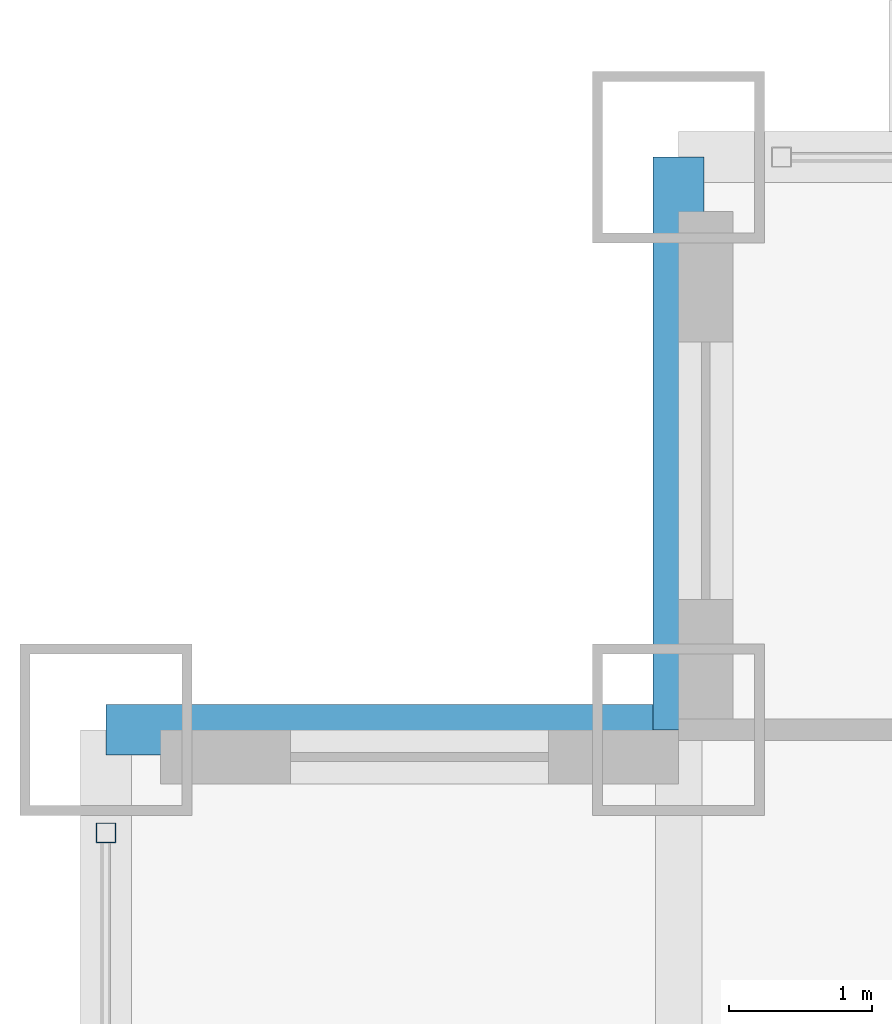
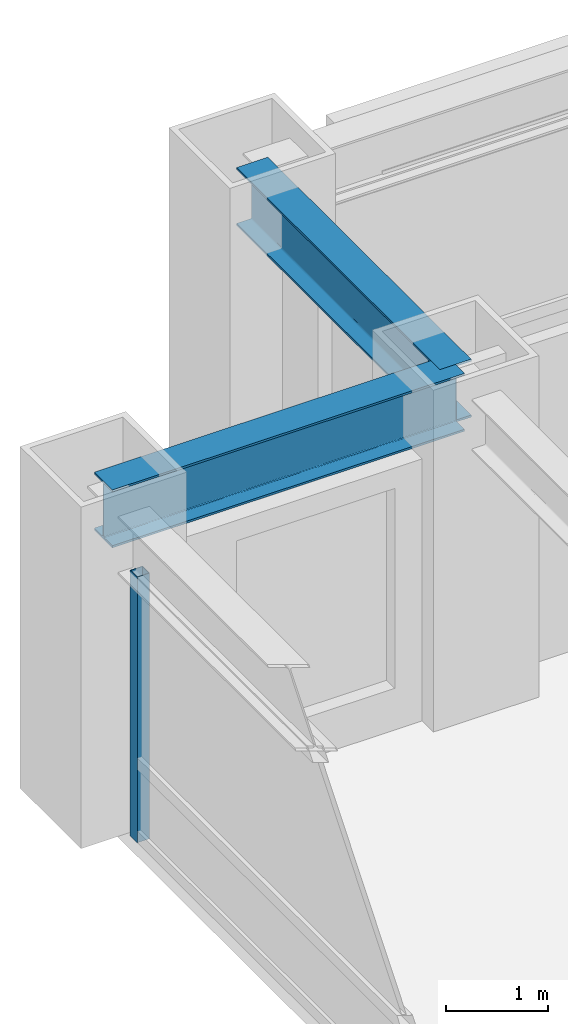
# One storey, part 10 of 32: 2 beams, 1 member, 1 element without a shape of its own.
"""IFC4 building model written with IfcOpenShell, lengths in metres."""

import ifcopenshell
import ifcopenshell.guid

model = None  # the IFC model being written
_history = None  # IfcOwnerHistory: only IFC2X3 demands one
_inside = {}  # id of a spatial element -> (the spatial element, [elements in it])
_under = {}  # id of a project, library or spatial element -> (it, [spatial elements below it])
_declared = {}  # id of a project -> (the project, [libraries it declares])
_typed = {}  # id of a type object -> (the type object, [elements of that type])
_made_of = {}  # id of a material, layer set ... -> (it, [elements and type objects made of it])


def new_model(schema):
    """Start an empty IFC model of exactly this schema.

    Asked for "IFC4X3", IfcOpenShell would pick the latest addendum, in which some entities
    have other attributes; the version numbers below select the first issue.
    IFC2X3 requires an IfcOwnerHistory on every rooted entity: one is made here for all.
    """
    global model, _history
    if schema == "IFC4X3":
        model = ifcopenshell.file(schema_version=(4, 3, 0, 0))
    else:
        model = ifcopenshell.file(schema=schema)
    _inside.clear()
    _under.clear()
    _declared.clear()
    _typed.clear()
    _made_of.clear()
    _history = None
    if model.schema == "IFC2X3":
        org = make("IfcOrganization", Name="unknown")
        user = make(
            "IfcPersonAndOrganization",
            ThePerson=make("IfcPerson", FamilyName="unknown"),
            TheOrganization=org,
        )
        app = make(
            "IfcApplication",
            ApplicationDeveloper=org,
            Version="unknown",
            ApplicationFullName="unknown",
            ApplicationIdentifier="unknown",
        )
        _history = make(
            "IfcOwnerHistory",
            OwningUser=user,
            OwningApplication=app,
            ChangeAction="ADDED",
            CreationDate=0,
        )
    return model


def make(cls, **values):
    """One entity of the class cls with the attributes given. An attribute that is None is left unset."""
    return model.create_entity(
        cls, **{name: value for name, value in values.items() if value is not None}
    )


def rooted(cls, **values):
    """An entity with a GlobalId (a new one), such as an element, a storey or a relation."""
    return make(cls, GlobalId=ifcopenshell.guid.new(), OwnerHistory=_history, **values)


def si_unit(unit_type, name, prefix=None):
    """IfcSIUnit, for example si_unit("LENGTHUNIT", "METRE", prefix="MILLI")."""
    return make("IfcSIUnit", UnitType=unit_type, Prefix=prefix, Name=name)


def assignment(units):
    """IfcUnitAssignment: the units of a project."""
    return None if units is None else make("IfcUnitAssignment", Units=units)


def point(xyz):
    """IfcCartesianPoint."""
    return None if xyz is None else make("IfcCartesianPoint", Coordinates=xyz)


def direction(xyz):
    """IfcDirection."""
    return None if xyz is None else make("IfcDirection", DirectionRatios=xyz)


def frame(location, z_axis=None, x_axis=None):
    """IfcAxis2Placement3D, a coordinate frame: its origin and axes. An axis left out is left unset."""
    return make(
        "IfcAxis2Placement3D",
        Location=point(location),
        Axis=direction(z_axis),
        RefDirection=direction(x_axis),
    )


def frame_2d(location, x_axis=None):
    """IfcAxis2Placement2D, a coordinate frame in the plane: its origin and x axis."""
    return make(
        "IfcAxis2Placement2D", Location=point(location), RefDirection=direction(x_axis)
    )


def origin():
    """The frame at (0, 0, 0) with its axes left unset."""
    return frame((0.0, 0.0, 0.0))


def origin_2d():
    """The frame at (0, 0) in the plane with its x axis left unset."""
    return frame_2d((0.0, 0.0))


def place(relative_to, where):
    """IfcLocalPlacement: puts the frame where relative to a parent placement (None: the world)."""
    return make(
        "IfcLocalPlacement", PlacementRelTo=relative_to, RelativePlacement=where
    )


def context(
    kind, dimensions, precision=None, world=None, true_north=None, identifier=None
):
    """IfcGeometricRepresentationContext, for example the 3D "Model" context."""
    return make(
        "IfcGeometricRepresentationContext",
        ContextIdentifier=identifier,
        ContextType=kind,
        CoordinateSpaceDimension=dimensions,
        Precision=precision,
        WorldCoordinateSystem=world,
        TrueNorth=true_north,
    )


def subcontext(parent, identifier, kind, view, scale=None):
    """IfcGeometricRepresentationSubContext, for example "Body" below "Model"."""
    return make(
        "IfcGeometricRepresentationSubContext",
        ContextIdentifier=identifier,
        ContextType=kind,
        ParentContext=parent,
        TargetScale=scale,
        TargetView=view,
    )


def project(units=None, contexts=None):
    """IfcProject with its units and contexts."""
    return rooted(
        "IfcProject",
        Name="project",
        RepresentationContexts=contexts,
        UnitsInContext=assignment(units),
    )


def spatial(cls, under=None, at=None, **own):
    """A site, building, storey or space (cls), placed at a placement, below another one or the project."""
    s = rooted(cls, ObjectPlacement=at, **own)
    if under is not None:
        _under.setdefault(under.id(), (under, []))[1].append(s)
    return s


def profile(cls, at=None, kind="AREA", **sizes):
    """A parametric profile (cls). Its sizes go by their IFC names, for example OverallWidth=200.0."""
    return make(cls, ProfileType=kind, Position=at, **sizes)


def hollow_rectangle(**sizes):
    """IfcRectangleHollowProfileDef."""
    return profile("IfcRectangleHollowProfileDef", **sizes)


def i_section(**sizes):
    """IfcIShapeProfileDef."""
    return profile("IfcIShapeProfileDef", **sizes)


def extrude(swept, where, along, depth):
    """IfcExtrudedAreaSolid: the profile swept, set in the frame where, extruded along a direction by depth."""
    return make(
        "IfcExtrudedAreaSolid",
        SweptArea=swept,
        Position=where,
        ExtrudedDirection=direction(along),
        Depth=depth,
    )


def shape(context_of_items, identifier, shape_type, items):
    """IfcShapeRepresentation: the items that make up one representation, for example the "Body"."""
    return make(
        "IfcShapeRepresentation",
        ContextOfItems=context_of_items,
        RepresentationIdentifier=identifier,
        RepresentationType=shape_type,
        Items=items,
    )


def source(mapping_origin, context_of_items, identifier, shape_type, items):
    """IfcRepresentationMap: a shape defined once, which mapped items show again and again."""
    return make(
        "IfcRepresentationMap",
        MappingOrigin=mapping_origin,
        MappedRepresentation=shape(context_of_items, identifier, shape_type, items),
    )


def transform(
    local_origin,
    x_axis=None,
    y_axis=None,
    z_axis=None,
    scale=None,
    scale2=None,
    scale3=None,
    uniform=True,
):
    """IfcCartesianTransformationOperator3D, or its non-uniform kind. x_axis, y_axis, z_axis: its Axis1, 2, 3."""
    if uniform:
        return make(
            "IfcCartesianTransformationOperator3D",
            Axis1=direction(x_axis),
            Axis2=direction(y_axis),
            LocalOrigin=point(local_origin),
            Scale=scale,
            Axis3=direction(z_axis),
        )
    return make(
        "IfcCartesianTransformationOperator3DnonUniform",
        Axis1=direction(x_axis),
        Axis2=direction(y_axis),
        LocalOrigin=point(local_origin),
        Scale=scale,
        Axis3=direction(z_axis),
        Scale2=scale2,
        Scale3=scale3,
    )


def mapped(mapping_source, mapping_target):
    """IfcMappedItem: shows the shape of a source again, moved by a transform."""
    return make(
        "IfcMappedItem", MappingSource=mapping_source, MappingTarget=mapping_target
    )


def material(Name=None, Category=None):
    """IfcMaterial."""
    return make("IfcMaterial", Name=Name, Category=Category)


def material_profile(
    of_material, cross_section, Name=None, Category=None, Priority=None
):
    """IfcMaterialProfile: a cross section and its material."""
    return make(
        "IfcMaterialProfile",
        Name=Name,
        Material=of_material,
        Profile=cross_section,
        Priority=Priority,
        Category=Category,
    )


def profile_set(profiles, Name=None, composite=None):
    """IfcMaterialProfileSet."""
    return make(
        "IfcMaterialProfileSet",
        Name=Name,
        MaterialProfiles=profiles,
        CompositeProfile=composite,
    )


def made_of(thing, what):
    """Note that an element or type object is made of a material, layer set ...; save() writes the relation."""
    if what is not None:
        _made_of.setdefault(what.id(), (what, []))[1].append(thing)
    return thing


def type_object(cls, material=None, **own):
    """A type object (cls), such as IfcWallType, which elements share."""
    return made_of(rooted(cls, **own), material)


def element(
    cls,
    number,
    at=None,
    inside=None,
    cuts=None,
    type_object=None,
    material=None,
    context=None,
    identifier="Body",
    shape_type=None,
    held_by="IfcProductDefinitionShape",
    body=None,
    shapes=None,
    **own,
):
    """One element of the class cls, such as IfcWall. Its Tag is "e" and its number.

    at: its placement. inside: the storey or other place that contains it. cuts: it is an
    opening in that element (IfcRelVoidsElement). A single representation is given by context,
    identifier, shape_type and body (its items); several are given by shapes. held_by: the class
    of the entity that holds the representations. save() writes the other relations.
    """
    e = rooted(cls, Tag="e%d" % number, ObjectPlacement=at, **own)
    if body is not None:
        shapes = [shape(context, identifier, shape_type, body)]
    if shapes is not None:
        e.Representation = make(held_by, Representations=shapes)
    if inside is not None:
        _inside.setdefault(inside.id(), (inside, []))[1].append(e)
    if cuts is not None:
        rooted(
            "IfcRelVoidsElement", RelatingBuildingElement=cuts, RelatedOpeningElement=e
        )
    if type_object is not None:
        _typed.setdefault(type_object.id(), (type_object, []))[1].append(e)
    return made_of(e, material)


def aggregate(whole, parts):
    """IfcRelAggregates: a whole, such as a stair, and the parts it consists of."""
    return rooted("IfcRelAggregates", RelatingObject=whole, RelatedObjects=parts)


def save(model, path):
    """Write the relations noted so far, then the file.

    IfcRelAggregates (storeys below a building ...), IfcRelContainedInSpatialStructure (elements
    in a storey), IfcRelDefinesByType, IfcRelAssociatesMaterial and IfcRelDeclares: one each for
    every whole, place, type object, material and project.
    """
    for whole, parts in _under.values():
        aggregate(whole, parts)
    for where, things in _inside.values():
        rooted(
            "IfcRelContainedInSpatialStructure",
            RelatedElements=things,
            RelatingStructure=where,
        )
    for kind, things in _typed.values():
        rooted("IfcRelDefinesByType", RelatedObjects=things, RelatingType=kind)
    for what, things in _made_of.values():
        rooted("IfcRelAssociatesMaterial", RelatedObjects=things, RelatingMaterial=what)
    for by, libraries in _declared.values():
        rooted("IfcRelDeclares", RelatingContext=by, RelatedDefinitions=libraries)
    model.write(path)


model = new_model("IFC4")

# Units and contexts
model_context = context("Model", 3, precision=1e-05, world=origin(), true_north=direction((0.0, 1.0)))
body_context = subcontext(model_context, "Body", "Model", "MODEL_VIEW")
ifc_project = project(units=[si_unit("LENGTHUNIT", "METRE"), si_unit("AREAUNIT", "SQUARE_METRE"), si_unit("VOLUMEUNIT", "CUBIC_METRE"), si_unit("PLANEANGLEUNIT", "RADIAN"), si_unit("MASSUNIT", "GRAM", prefix="KILO")], contexts=[model_context])

# Site, building, storey
site_placement = place(None, origin())
site = spatial("IfcSite", under=ifc_project, at=site_placement, CompositionType="ELEMENT")
building_placement = place(site_placement, origin())
building = spatial("IfcBuilding", under=site, at=building_placement, Name="Khorayat Bourse Tower", CompositionType="ELEMENT")
storey_placement = place(building_placement, frame((0.0, 0.0, 95.5)))
storey = spatial("IfcBuildingStorey", under=building, at=storey_placement, Name="L21", CompositionType="ELEMENT", Elevation=95.5)

# Beams
ifc_material_1 = material(Name="Steel ASTM A992 Grade 50", Category="steel")
ifc_material_profile_1 = material_profile(ifc_material_1, i_section(OverallWidth=0.35498046875, OverallDepth=0.695068359375, WebThickness=0.015380859375, FlangeThickness=0.02490234375, FilletRadius=0.01806640625, at=origin_2d()), Name="W690X217")
ifc_profile_set_1 = profile_set([ifc_material_profile_1], Name="Steel ASTM A992 Grade 50")
beam_type = type_object("IfcBeamType", Name="BM-SPAN-690", PredefinedType="SPANDREL", material=ifc_profile_set_1)
shared_shape_1 = source(origin(), body_context, "Body", "SweptSolid", [
    extrude(i_section(OverallWidth=0.35498046875, OverallDepth=0.695068359375, WebThickness=0.015380859375, FlangeThickness=0.02490234375, FilletRadius=0.01806640625, at=origin_2d()), origin(), (0.0, 0.0, 1.0), 4.0),
])
for number, where, z_axis, x_axis, name in (
    (1, (-28.0, 28.0, 3.492431640625), (0.0, 1.0, 0.0), (-1.0, 0.0, 0.0), "L21 BM-SPAN-690 BM-L21-SPN-052"),
    (2, (-32.0, 28.0, 3.492431640625), (1.0, 0.0, 0.0), (0.0, 1.0, 0.0), "L21 BM-SPAN-690 BM-L21-SPN-053"),
):
    element("IfcBeam", number, at=place(storey_placement, frame(where, z_axis=z_axis, x_axis=x_axis)), inside=storey, type_object=beam_type, Name=name, PredefinedType="SPANDREL", context=body_context, shape_type="MappedRepresentation", body=[
        mapped(shared_shape_1, transform((0.0, 0.0, 0.0), scale=1.0)),
    ])

# Curtain wall, member
ifc_material_2 = material(Name="Aluminium EN AW-6063 T6", Category="aluminium")
curtain_wall_type = type_object("IfcCurtainWallType", Name="CW-SYS-02", PredefinedType="NOTDEFINED", material=ifc_material_2)
curtain_wall_placement = place(storey_placement, origin())
curtain_wall = element("IfcCurtainWall", 3, at=curtain_wall_placement, inside=storey, type_object=curtain_wall_type, Name="L21 Curtain Wall CW-L21-W1", PredefinedType="NOTDEFINED")
ifc_material_profile_2 = material_profile(ifc_material_2, hollow_rectangle(XDim=0.139892578125, YDim=0.139892578125, WallThickness=0.006103515625, at=origin_2d()), Name="ALU 140x140x6")
ifc_profile_set_2 = profile_set([ifc_material_profile_2], Name="Aluminium EN AW-6063 T6")
member_type = type_object("IfcMemberType", Name="CWM-VERT-140", PredefinedType="MULLION", material=ifc_profile_set_2)
shared_shape_2 = source(origin(), body_context, "Body", "SweptSolid", [
    extrude(hollow_rectangle(XDim=0.139892578125, YDim=0.139892578125, WallThickness=0.006103515625, at=origin_2d()), origin(), (0.0, 0.0, 1.0), 3.18994140625),
])
member_placement = place(storey_placement, frame((-32.0, 27.280029296875, 0.0), z_axis=(0.0, 0.0, 1.0), x_axis=(-1.0, 0.0, 0.0)))
member = element("IfcMember", 4, at=member_placement, type_object=member_type, Name="CW-L21-W1 Vertical Mullion 3", PredefinedType="MULLION", context=body_context, shape_type="MappedRepresentation", body=[
    mapped(shared_shape_2, transform((0.0, 0.0, 0.0), scale=1.0)),
])
aggregate(curtain_wall, [member])

save(model, "model.ifc")
